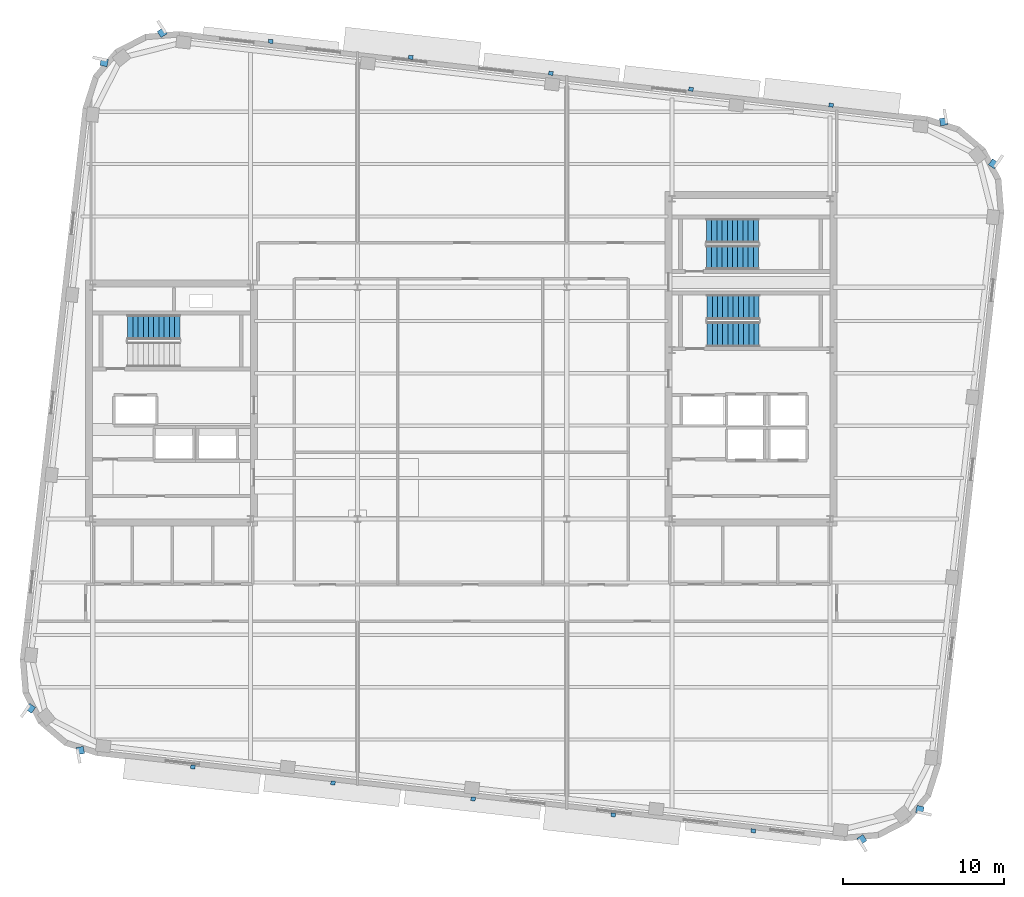
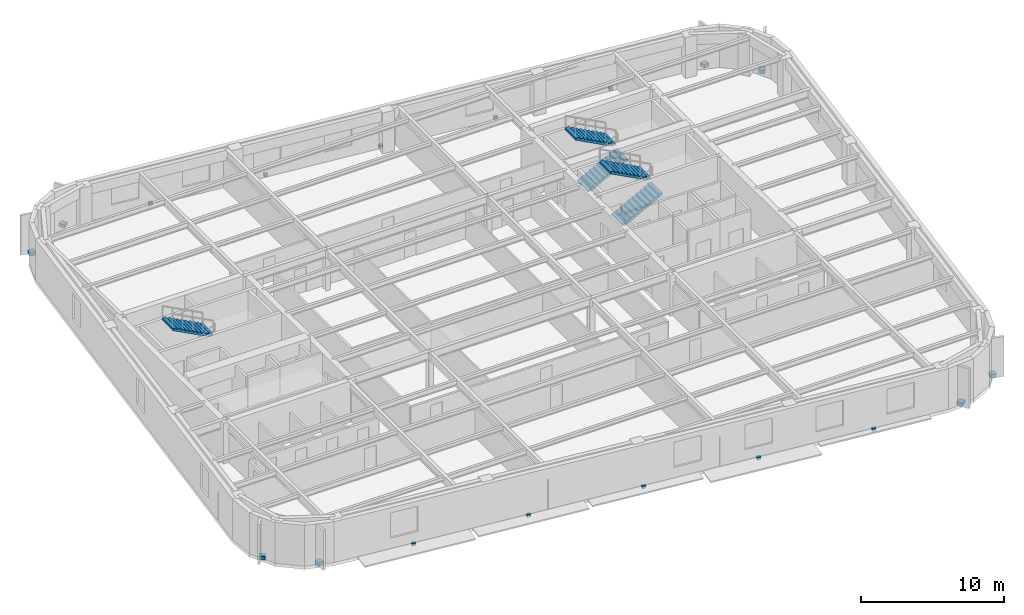
# One storey, part 9 of 14: 18 discrete accessories, 5 stair flights, 3 elements without a shape of their own.
"""IFC4 building model written with IfcOpenShell, lengths in metres."""

from ifc_helpers import new_model, si_unit, direction, frame, origin, origin_2d, place, context, subcontext, project, spatial, polyline, rectangle, outline, extrude, material, type_object, element, aggregate, save


model = new_model("IFC4")

# Units and contexts
model_context = context("Model", 3, precision=1e-05, world=origin(), true_north=direction((0.0, 1.0)))
body_context = subcontext(model_context, "Body", "Model", "MODEL_VIEW")
ifc_project = project(units=[si_unit("LENGTHUNIT", "METRE"), si_unit("AREAUNIT", "SQUARE_METRE"), si_unit("VOLUMEUNIT", "CUBIC_METRE"), si_unit("PLANEANGLEUNIT", "RADIAN"), si_unit("MASSUNIT", "GRAM", prefix="KILO")], contexts=[model_context])

# Site, building, storey
site_placement = place(None, origin())
site = spatial("IfcSite", under=ifc_project, at=site_placement, CompositionType="ELEMENT")
building_placement = place(site_placement, origin())
building = spatial("IfcBuilding", under=site, at=building_placement, Name="Kolvaren Arena Tower", CompositionType="ELEMENT")
storey_placement = place(building_placement, frame((0.0, 0.0, 247.199951171875)))
storey = spatial("IfcBuildingStorey", under=building, at=storey_placement, Name="L60", CompositionType="ELEMENT", Elevation=247.199951171875)

# Stair, stair flights
ifc_material_1 = material(Name="Concrete 45 MPa", Category="concrete")
stair_type_1 = type_object("IfcStairType", Name="STAIR-CORE-150", PredefinedType="HALF_TURN_STAIR", material=ifc_material_1)
stair_1_placement = place(storey_placement, origin())
stair_1 = element("IfcStair", 1, at=stair_1_placement, inside=storey, type_object=stair_type_1, Name="L60 ST-E2", PredefinedType="HALF_TURN_STAIR")
stair_flight_type_1 = type_object("IfcStairFlightType", Name="FLT-150", PredefinedType="STRAIGHT", material=ifc_material_1)
stair_flight_1_placement = place(storey_placement, frame((52.679931640625, 35.699951171875, 0.0), z_axis=(0.0, 0.0, 1.0), x_axis=(1.0, 0.0, 0.0)))
stair_flight_1 = element("IfcStairFlight", 2, at=stair_flight_1_placement, type_object=stair_flight_type_1, Name="ST-E2 flight 1", NumberOfRisers=11, NumberOfTreads=10, PredefinedType="STRAIGHT", RiserHeight=0.170454545, TreadLength=0.324, context=body_context, shape_type="SweptSolid", body=[
    extrude(outline(polyline([(0.0, 0.0), (0.0, 0.17041015625), (0.323974609375, 0.17041015625), (0.323974609375, 0.3408203125), (0.64794921875, 0.3408203125), (0.64794921875, 0.511474609375), (0.971923828125, 0.511474609375), (0.971923828125, 0.681884765625), (1.2958984375, 0.681884765625), (1.2958984375, 0.852294921875), (1.6201171875, 0.852294921875), (1.6201171875, 1.022705078125), (1.944091796875, 1.022705078125), (1.944091796875, 1.193115234375), (2.26806640625, 1.193115234375), (2.26806640625, 1.363525390625), (2.592041015625, 1.363525390625), (2.592041015625, 1.5341796875), (2.916015625, 1.5341796875), (2.916015625, 1.70458984375), (3.239990234375, 1.70458984375), (3.239990234375, 1.875), (3.239990234375, 1.53515625), (0.322021484375, 0.0), (0.0, 0.0)])), frame((0.0, 0.75, 0.0), z_axis=(0.0, -1.0, 0.0), x_axis=(1.0, 0.0, 0.0)), (0.0, 0.0, 1.0), 1.5),
])
stair_flight_2_placement = place(storey_placement, frame((55.919921875, 37.35009765625, 1.875), z_axis=(0.0, 0.0, 1.0), x_axis=(-1.0, 0.0, 0.0)))
stair_flight_2 = element("IfcStairFlight", 3, at=stair_flight_2_placement, type_object=stair_flight_type_1, Name="ST-E2 flight 2", NumberOfRisers=11, NumberOfTreads=10, PredefinedType="STRAIGHT", RiserHeight=0.170454545, TreadLength=0.324, context=body_context, shape_type="SweptSolid", body=[
    extrude(outline(polyline([(0.0, 0.0), (0.0, 0.17041015625), (0.323974609375, 0.17041015625), (0.323974609375, 0.3408203125), (0.64794921875, 0.3408203125), (0.64794921875, 0.511474609375), (0.971923828125, 0.511474609375), (0.971923828125, 0.681884765625), (1.2958984375, 0.681884765625), (1.2958984375, 0.852294921875), (1.6201171875, 0.852294921875), (1.6201171875, 1.022705078125), (1.944091796875, 1.022705078125), (1.944091796875, 1.193115234375), (2.26806640625, 1.193115234375), (2.26806640625, 1.363525390625), (2.592041015625, 1.363525390625), (2.592041015625, 1.5341796875), (2.916015625, 1.5341796875), (2.916015625, 1.70458984375), (3.239990234375, 1.70458984375), (3.239990234375, 1.875), (3.239990234375, 1.53515625), (0.322021484375, 0.0), (0.0, 0.0)])), frame((0.0, 0.75, 0.0), z_axis=(0.0, -1.0, 0.0), x_axis=(1.0, 0.0, 0.0)), (0.0, 0.0, 1.0), 1.5),
])
aggregate(stair_1, [stair_flight_1, stair_flight_2])

# Stair, stair flight
stair_type_2 = type_object("IfcStairType", Name="STAIR-CORE-165", PredefinedType="HALF_TURN_STAIR", material=ifc_material_1)
stair_2_placement = place(storey_placement, origin())
stair_2 = element("IfcStair", 4, at=stair_2_placement, inside=storey, type_object=stair_type_2, Name="L60 ST-W1", PredefinedType="HALF_TURN_STAIR")
stair_flight_type_2 = type_object("IfcStairFlightType", Name="FLT-165", PredefinedType="STRAIGHT", material=ifc_material_1)
stair_flight_3_placement = place(storey_placement, frame((19.9599609375, 31.360107421875, 1.875), z_axis=(0.0, 0.0, 1.0), x_axis=(-1.0, 0.0, 0.0)))
stair_flight_3 = element("IfcStairFlight", 5, at=stair_flight_3_placement, type_object=stair_flight_type_2, Name="ST-W1 flight 2", NumberOfRisers=11, NumberOfTreads=10, PredefinedType="STRAIGHT", RiserHeight=0.170454545, TreadLength=0.324, context=body_context, shape_type="SweptSolid", body=[
    extrude(outline(polyline([(0.0, 0.0), (0.0, 0.17041015625), (0.323974609375, 0.17041015625), (0.323974609375, 0.3408203125), (0.64794921875, 0.3408203125), (0.64794921875, 0.511474609375), (0.971923828125, 0.511474609375), (0.971923828125, 0.681884765625), (1.2958984375, 0.681884765625), (1.2958984375, 0.852294921875), (1.6201171875, 0.852294921875), (1.6201171875, 1.022705078125), (1.944091796875, 1.022705078125), (1.944091796875, 1.193115234375), (2.26806640625, 1.193115234375), (2.26806640625, 1.363525390625), (2.592041015625, 1.363525390625), (2.592041015625, 1.5341796875), (2.916015625, 1.5341796875), (2.916015625, 1.70458984375), (3.239990234375, 1.70458984375), (3.239990234375, 1.875), (3.239990234375, 1.53515625), (0.322021484375, 0.0), (0.0, 0.0)])), frame((0.0, 0.77001953125, 0.0), z_axis=(0.0, -1.0, 0.0), x_axis=(1.0, 0.0, 0.0)), (0.0, 0.0, 1.0), 1.5400390625),
])
aggregate(stair_2, [stair_flight_3])

# Stair, stair flights
stair_3_placement = place(storey_placement, origin())
stair_3 = element("IfcStair", 6, at=stair_3_placement, inside=storey, type_object=stair_type_2, Name="L60 ST-E1", PredefinedType="HALF_TURN_STAIR")
stair_flight_4_placement = place(storey_placement, frame((52.719970703125, 30.919921875, 0.0), z_axis=(0.0, 0.0, 1.0), x_axis=(1.0, 0.0, 0.0)))
stair_flight_4 = element("IfcStairFlight", 7, at=stair_flight_4_placement, type_object=stair_flight_type_2, Name="ST-E1 flight 1", NumberOfRisers=11, NumberOfTreads=10, PredefinedType="STRAIGHT", RiserHeight=0.170454545, TreadLength=0.324, context=body_context, shape_type="SweptSolid", body=[
    extrude(outline(polyline([(0.0, 0.0), (0.0, 0.17041015625), (0.323974609375, 0.17041015625), (0.323974609375, 0.3408203125), (0.64794921875, 0.3408203125), (0.64794921875, 0.511474609375), (0.971923828125, 0.511474609375), (0.971923828125, 0.681884765625), (1.2958984375, 0.681884765625), (1.2958984375, 0.852294921875), (1.6201171875, 0.852294921875), (1.6201171875, 1.022705078125), (1.944091796875, 1.022705078125), (1.944091796875, 1.193115234375), (2.26806640625, 1.193115234375), (2.26806640625, 1.363525390625), (2.592041015625, 1.363525390625), (2.592041015625, 1.5341796875), (2.916015625, 1.5341796875), (2.916015625, 1.70458984375), (3.239990234375, 1.70458984375), (3.239990234375, 1.875), (3.239990234375, 1.53515625), (0.322021484375, 0.0), (0.0, 0.0)])), frame((0.0, 0.77001953125, 0.0), z_axis=(0.0, -1.0, 0.0), x_axis=(1.0, 0.0, 0.0)), (0.0, 0.0, 1.0), 1.5400390625),
])
stair_flight_5_placement = place(storey_placement, frame((55.9599609375, 32.610107421875, 1.875), z_axis=(0.0, 0.0, 1.0), x_axis=(-1.0, 0.0, 0.0)))
stair_flight_5 = element("IfcStairFlight", 8, at=stair_flight_5_placement, type_object=stair_flight_type_2, Name="ST-E1 flight 2", NumberOfRisers=11, NumberOfTreads=10, PredefinedType="STRAIGHT", RiserHeight=0.170454545, TreadLength=0.324, context=body_context, shape_type="SweptSolid", body=[
    extrude(outline(polyline([(0.0, 0.0), (0.0, 0.17041015625), (0.323974609375, 0.17041015625), (0.323974609375, 0.3408203125), (0.64794921875, 0.3408203125), (0.64794921875, 0.511474609375), (0.971923828125, 0.511474609375), (0.971923828125, 0.681884765625), (1.2958984375, 0.681884765625), (1.2958984375, 0.852294921875), (1.6201171875, 0.852294921875), (1.6201171875, 1.022705078125), (1.944091796875, 1.022705078125), (1.944091796875, 1.193115234375), (2.26806640625, 1.193115234375), (2.26806640625, 1.363525390625), (2.592041015625, 1.363525390625), (2.592041015625, 1.5341796875), (2.916015625, 1.5341796875), (2.916015625, 1.70458984375), (3.239990234375, 1.70458984375), (3.239990234375, 1.875), (3.239990234375, 1.53515625), (0.322021484375, 0.0), (0.0, 0.0)])), frame((0.0, 0.77001953125, 0.0), z_axis=(0.0, -1.0, 0.0), x_axis=(1.0, 0.0, 0.0)), (0.0, 0.0, 1.0), 1.5400390625),
])
aggregate(stair_3, [stair_flight_4, stair_flight_5])

# Discrete accessories
ifc_material_2 = material(Name="Stainless steel facade support bracket", Category="steel")
discrete_accessory_type = type_object("IfcDiscreteAccessoryType", Name="ACC-BRKT-1", PredefinedType="BRACKET", material=ifc_material_2)
for number, where, z_axis, x_axis, name in (
    (9, (62.33544921875, -0.46630859375, 0.02001953125), (0.0, 0.0, 1.0), (0.540981810797, -0.84103429204, 0.0), "Corner Fin Anchor Bracket (L60)"),
    (10, (65.939208984375, 1.389892578125, 0.02001953125), (0.0, 0.0, 1.0), (0.977234439221, -0.21216232182, 0.0), "Corner Fin Anchor Bracket (L60)"),
    (11, (70.5107421875, 41.51513671875, 0.02001953125), (0.0, 0.0, 1.0), (0.569965213199, 0.821668823641, 0.0), "Corner Fin Anchor Bracket (L60)"),
    (12, (67.4169921875, 44.13427734375, 0.02001953125), (0.0, 0.0, 1.0), (-0.177965872603, 0.984036659982, 0.0), "Corner Fin Anchor Bracket (L60)"),
):
    element("IfcDiscreteAccessory", number, at=place(storey_placement, frame(where, z_axis=z_axis, x_axis=x_axis)), inside=storey, type_object=discrete_accessory_type, Name=name, PredefinedType="BRACKET", context=body_context, shape_type="SweptSolid", body=[
        extrude(rectangle(XDim=0.449951171875, YDim=0.449951171875, at=origin_2d()), origin(), (0.0, 0.0, 1.0), 0.300048828125),
    ])
for number, where, z_axis, x_axis, name in (
    (13, (25.60986328125, 49.12451171875, -0.18017578125), (0.0, 0.0, 1.0), (0.993571658098, -0.113204947878, 0.0), "Sunshade Support Bracket (L60)"),
    (14, (34.313720703125, 48.1328125, -0.18017578125), (0.0, 0.0, 1.0), (0.993571658098, -0.113204947878, 0.0), "Sunshade Support Bracket (L60)"),
    (15, (43.017333984375, 47.141357421875, -0.18017578125), (0.0, 0.0, 1.0), (0.993571658098, -0.113204947878, 0.0), "Sunshade Support Bracket (L60)"),
    (16, (51.720947265625, 46.149658203125, -0.18017578125), (0.0, 0.0, 1.0), (0.993571658098, -0.113204947878, 0.0), "Sunshade Support Bracket (L60)"),
    (17, (60.424560546875, 45.157958984375, -0.18017578125), (0.0, 0.0, 1.0), (0.993571658098, -0.113204947878, 0.0), "Sunshade Support Bracket (L60)"),
):
    element("IfcDiscreteAccessory", number, at=place(storey_placement, frame(where, z_axis=z_axis, x_axis=x_axis)), inside=storey, type_object=discrete_accessory_type, Name=name, PredefinedType="BRACKET", context=body_context, shape_type="SweptSolid", body=[
        extrude(rectangle(XDim=0.280029296875, YDim=0.239990234375, at=origin_2d()), origin(), (0.0, 0.0, 1.0), 0.239990234375),
    ])
for number, where, z_axis, x_axis, name in (
    (18, (18.864501953125, 49.666259765625, 0.02001953125), (0.0, 0.0, 1.0), (-0.540981810797, 0.84103429204, 0.0), "Corner Fin Anchor Bracket (L60)"),
    (19, (15.260986328125, 47.81005859375, 0.02001953125), (0.0, 0.0, 1.0), (-0.977234439221, 0.21216232182, 0.0), "Corner Fin Anchor Bracket (L60)"),
    (20, (10.689208984375, 7.684814453125, 0.02001953125), (0.0, 0.0, 1.0), (-0.569965213199, -0.821668823641, 0.0), "Corner Fin Anchor Bracket (L60)"),
    (21, (13.782958984375, 5.065673828125, 0.02001953125), (0.0, 0.0, 1.0), (0.177965872603, -0.984036659982, 0.0), "Corner Fin Anchor Bracket (L60)"),
):
    element("IfcDiscreteAccessory", number, at=place(storey_placement, frame(where, z_axis=z_axis, x_axis=x_axis)), inside=storey, type_object=discrete_accessory_type, Name=name, PredefinedType="BRACKET", context=body_context, shape_type="SweptSolid", body=[
        extrude(rectangle(XDim=0.449951171875, YDim=0.449951171875, at=origin_2d()), origin(), (0.0, 0.0, 1.0), 0.300048828125),
    ])
for number, where, z_axis, x_axis, name in (
    (22, (55.590087890625, 0.075439453125, -0.18017578125), (0.0, 0.0, 1.0), (-0.993571658098, 0.113204947878, 0.0), "Sunshade Support Bracket (L60)"),
    (23, (46.886474609375, 1.067138671875, -0.18017578125), (0.0, 0.0, 1.0), (-0.993571658098, 0.113204947878, 0.0), "Sunshade Support Bracket (L60)"),
    (24, (38.1826171875, 2.05859375, -0.18017578125), (0.0, 0.0, 1.0), (-0.993571658098, 0.113204947878, 0.0), "Sunshade Support Bracket (L60)"),
    (25, (29.47900390625, 3.05029296875, -0.18017578125), (0.0, 0.0, 1.0), (-0.993571658098, 0.113204947878, 0.0), "Sunshade Support Bracket (L60)"),
    (26, (20.775390625, 4.0419921875, -0.18017578125), (0.0, 0.0, 1.0), (-0.993571658098, 0.113204947878, 0.0), "Sunshade Support Bracket (L60)"),
):
    element("IfcDiscreteAccessory", number, at=place(storey_placement, frame(where, z_axis=z_axis, x_axis=x_axis)), inside=storey, type_object=discrete_accessory_type, Name=name, PredefinedType="BRACKET", context=body_context, shape_type="SweptSolid", body=[
        extrude(rectangle(XDim=0.280029296875, YDim=0.239990234375, at=origin_2d()), origin(), (0.0, 0.0, 1.0), 0.239990234375),
    ])

save(model, "model.ifc")
